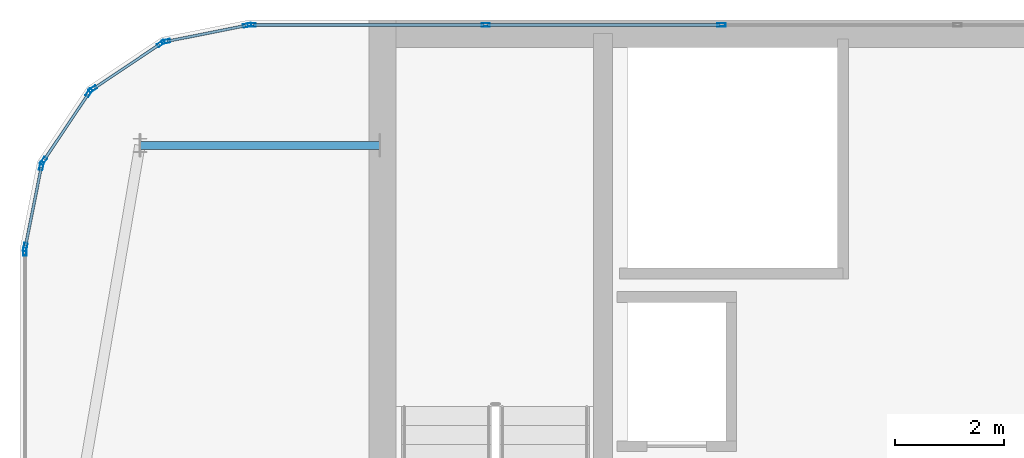
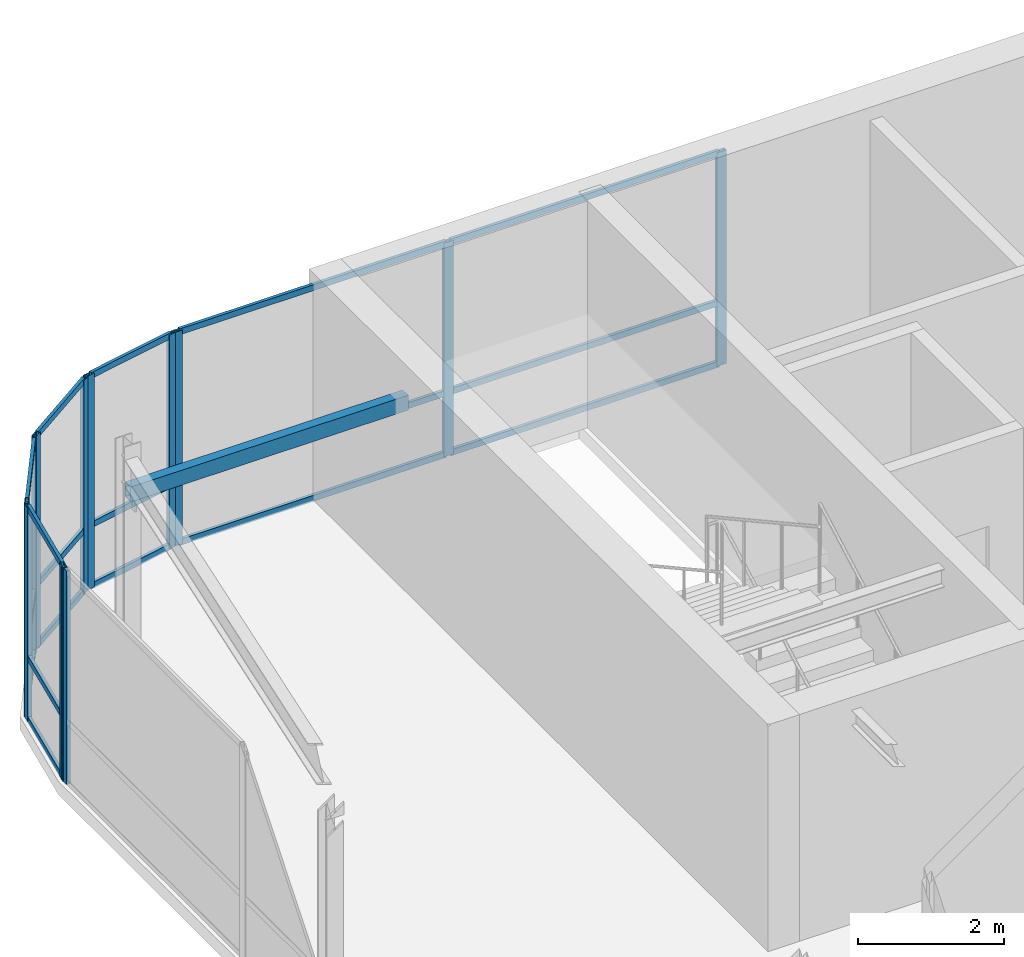
# One storey, part 26 of 36: 31 members, 6 elements without a shape of their own.
"""IFC4 building model written with IfcOpenShell, lengths in metres."""

from ifc_helpers import new_model, si_unit, direction, frame, origin, origin_2d, place, context, subcontext, project, spatial, hollow_rectangle, extrude, source, transform, mapped, material, layer, layer_set, material_profile, profile_set, type_object, type_shapes, element, aggregate, save


model = new_model("IFC4")

# Units and contexts
model_context = context("Model", 3, precision=1e-05, world=origin(), true_north=direction((0.0, 1.0)))
body_context = subcontext(model_context, "Body", "Model", "MODEL_VIEW")
ifc_project = project(units=[si_unit("LENGTHUNIT", "METRE"), si_unit("AREAUNIT", "SQUARE_METRE"), si_unit("VOLUMEUNIT", "CUBIC_METRE"), si_unit("PLANEANGLEUNIT", "RADIAN"), si_unit("MASSUNIT", "GRAM", prefix="KILO")], contexts=[model_context])

# Site, building, storey
site_placement = place(None, origin())
site = spatial("IfcSite", under=ifc_project, at=site_placement, CompositionType="ELEMENT")
building_placement = place(site_placement, origin())
building = spatial("IfcBuilding", under=site, at=building_placement, Name="Tolvann Quenvar Hotel", CompositionType="ELEMENT")
storey_placement = place(building_placement, frame((0.0, 0.0, 298.550048828125)))
storey = spatial("IfcBuildingStorey", under=building, at=storey_placement, Name="L79", CompositionType="ELEMENT", Elevation=298.550048828125)

# Member
ifc_material_1 = material(Name="Steel Grade 450 (C450L0)", Category="steel")
ifc_material_profile_1 = material_profile(ifc_material_1, hollow_rectangle(XDim=0.14990234375, YDim=0.25, WallThickness=0.009033203125, at=origin_2d()), Name="250x150x9RHS")
ifc_profile_set_1 = profile_set([ifc_material_profile_1], Name="Steel Grade 450 (C450L0)")
member_type_1 = type_object("IfcMemberType", Name="MEM_CROWN_250RHS", PredefinedType="USERDEFINED", material=ifc_profile_set_1)
shared_shape_1 = source(origin(), body_context, "Body", "SweptSolid", [
    extrude(hollow_rectangle(XDim=0.14990234375, YDim=0.25, WallThickness=0.009033203125, at=origin_2d()), origin(), (0.0, 0.0, 1.0), 4.39990234375),
])
type_shapes(member_type_1, [shared_shape_1])
member_1_placement = place(storey_placement, frame((5.800048828125, 41.89990234375, 2.929931640625), z_axis=(1.0, 0.0, 0.0), x_axis=(0.0, 1.0, 0.0)))
element("IfcMember", 1, at=member_1_placement, inside=storey, type_object=member_type_1, Name="Crown Frame Ring Member (L79-4)", ObjectType="CROWN FRAME", PredefinedType="USERDEFINED", context=body_context, shape_type="MappedRepresentation", body=[
    mapped(shared_shape_1, transform((0.0, 0.0, 0.0), x_axis=(1.0, 0.0, 0.0), y_axis=(0.0, 1.0, 0.0), z_axis=(0.0, 0.0, 1.0), scale=1.0)),
])

# Curtain wall, members
ifc_material_2 = material(Name="Thermally broken anodised architectural aluminium 6063-T6 and laminated low-E glass", Category="aluminium")
ifc_layer = layer(ifc_material_2, 0.179931640625)
ifc_layer_set = layer_set([ifc_layer], Name="Thermally broken anodised architectural aluminium 6063-T6 and laminated low-E glass")
curtain_wall_type = type_object("IfcCurtainWallType", Name="CW_SYS_LANT_06", PredefinedType="USERDEFINED", material=ifc_layer_set)
curtain_wall_1_placement = place(storey_placement, origin())
curtain_wall_1 = element("IfcCurtainWall", 2, at=curtain_wall_1_placement, inside=storey, type_object=curtain_wall_type, Name="Curtain Wall CW-LANT-06 (CWR-L79-E16)", ObjectType="UNITISED CURTAIN WALL", PredefinedType="USERDEFINED")
ifc_material_3 = material(Name="Anodised architectural aluminium 6063-T6 framing", Category="aluminium")
ifc_material_profile_2 = material_profile(ifc_material_3, hollow_rectangle(XDim=0.050048828125, YDim=0.10009765625, WallThickness=0.0029296875, at=origin_2d()), Name="100x50x3RHS")
ifc_profile_set_2 = profile_set([ifc_material_profile_2], Name="Anodised architectural aluminium 6063-T6 framing")
member_type_2 = type_object("IfcMemberType", Name="CW_TRAN_100x50", PredefinedType="USERDEFINED", material=ifc_profile_set_2)
shared_shape_2 = source(origin(), body_context, "Body", "SweptSolid", [
    extrude(hollow_rectangle(XDim=0.050048828125, YDim=0.10009765625, WallThickness=0.0029296875, at=origin_2d()), origin(), (0.0, 0.0, 1.0), 1.439208984375),
])
member_2_placement = place(storey_placement, frame((6.15966796875, 43.75, 0.02490234375), z_axis=(-0.831449510818, -0.555600315839, 0.0), x_axis=(0.555600315839, -0.831449510818, 0.0)))
member_2 = element("IfcMember", 3, at=member_2_placement, type_object=member_type_2, Name="CW-LANT-06 transom 1.1", ObjectType="TRANSOM", PredefinedType="USERDEFINED", context=body_context, shape_type="MappedRepresentation", body=[
    mapped(shared_shape_2, transform((0.0, 0.0, 0.0), x_axis=(1.0, 0.0, 0.0), y_axis=(0.0, 1.0, 0.0), z_axis=(0.0, 0.0, 1.0), scale=1.0)),
])
member_3_placement = place(storey_placement, frame((6.15966796875, 43.75, 1.050048828125), z_axis=(-0.831449510818, -0.555600315839, 0.0), x_axis=(0.555600315839, -0.831449510818, 0.0)))
member_3 = element("IfcMember", 4, at=member_3_placement, type_object=member_type_2, Name="CW-LANT-06 transom 1.2", ObjectType="TRANSOM", PredefinedType="USERDEFINED", context=body_context, shape_type="MappedRepresentation", body=[
    mapped(shared_shape_2, transform((0.0, 0.0, 0.0), x_axis=(1.0, 0.0, 0.0), y_axis=(0.0, 1.0, 0.0), z_axis=(0.0, 0.0, 1.0), scale=1.0)),
])
member_4_placement = place(storey_placement, frame((6.15966796875, 43.75, 3.554931640625), z_axis=(-0.831449510818, -0.555600315839, 0.0), x_axis=(0.555600315839, -0.831449510818, 0.0)))
member_4 = element("IfcMember", 5, at=member_4_placement, type_object=member_type_2, Name="CW-LANT-06 transom 1.3", ObjectType="TRANSOM", PredefinedType="USERDEFINED", context=body_context, shape_type="MappedRepresentation", body=[
    mapped(shared_shape_2, transform((0.0, 0.0, 0.0), x_axis=(1.0, 0.0, 0.0), y_axis=(0.0, 1.0, 0.0), z_axis=(0.0, 0.0, 1.0), scale=1.0)),
])

curtain_wall_2_placement = place(storey_placement, origin())
curtain_wall_2 = element("IfcCurtainWall", 6, at=curtain_wall_2_placement, inside=storey, type_object=curtain_wall_type, Name="Curtain Wall CW-LANT-06 (CWR-L79-E17)", ObjectType="UNITISED CURTAIN WALL", PredefinedType="USERDEFINED")
member_5_placement = place(storey_placement, frame((4.849609375, 42.836669921875, 0.02490234375), z_axis=(-0.555717578985, -0.831371139989, 0.0), x_axis=(0.831371139989, -0.555717578985, 0.0)))
member_5 = element("IfcMember", 7, at=member_5_placement, type_object=member_type_2, Name="CW-LANT-06 transom 1.1", ObjectType="TRANSOM", PredefinedType="USERDEFINED", context=body_context, shape_type="MappedRepresentation", body=[
    mapped(shared_shape_2, transform((0.0, 0.0, 0.0), x_axis=(1.0, 0.0, 0.0), y_axis=(0.0, 1.0, 0.0), z_axis=(0.0, 0.0, 1.0), scale=1.0)),
])
member_6_placement = place(storey_placement, frame((4.849609375, 42.836669921875, 1.050048828125), z_axis=(-0.555717578985, -0.831371139989, 0.0), x_axis=(0.831371139989, -0.555717578985, 0.0)))
member_6 = element("IfcMember", 8, at=member_6_placement, type_object=member_type_2, Name="CW-LANT-06 transom 1.2", ObjectType="TRANSOM", PredefinedType="USERDEFINED", context=body_context, shape_type="MappedRepresentation", body=[
    mapped(shared_shape_2, transform((0.0, 0.0, 0.0), x_axis=(1.0, 0.0, 0.0), y_axis=(0.0, 1.0, 0.0), z_axis=(0.0, 0.0, 1.0), scale=1.0)),
])
member_7_placement = place(storey_placement, frame((4.849609375, 42.836669921875, 3.554931640625), z_axis=(-0.555717578985, -0.831371139989, 0.0), x_axis=(0.831371139989, -0.555717578985, 0.0)))
member_7 = element("IfcMember", 9, at=member_7_placement, type_object=member_type_2, Name="CW-LANT-06 transom 1.3", ObjectType="TRANSOM", PredefinedType="USERDEFINED", context=body_context, shape_type="MappedRepresentation", body=[
    mapped(shared_shape_2, transform((0.0, 0.0, 0.0), x_axis=(1.0, 0.0, 0.0), y_axis=(0.0, 1.0, 0.0), z_axis=(0.0, 0.0, 1.0), scale=1.0)),
])

curtain_wall_3_placement = place(storey_placement, origin())
curtain_wall_3 = element("IfcCurtainWall", 10, at=curtain_wall_3_placement, inside=storey, type_object=curtain_wall_type, Name="Curtain Wall CW-LANT-06 (CWR-L79-E15)", ObjectType="UNITISED CURTAIN WALL", PredefinedType="USERDEFINED")
shared_shape_3 = source(origin(), body_context, "Body", "SweptSolid", [
    extrude(hollow_rectangle(XDim=0.050048828125, YDim=0.10009765625, WallThickness=0.0029296875, at=origin_2d()), origin(), (0.0, 0.0, 1.0), 1.456787109375),
])
member_8_placement = place(storey_placement, frame((7.73681640625, 44.095703125, 0.02490234375), z_axis=(-0.980786408364, -0.195084651288, 0.0), x_axis=(0.195084651288, -0.980786408364, 0.0)))
member_8 = element("IfcMember", 11, at=member_8_placement, type_object=member_type_2, Name="CW-LANT-06 transom 1.1", ObjectType="TRANSOM", PredefinedType="USERDEFINED", context=body_context, shape_type="MappedRepresentation", body=[
    mapped(shared_shape_3, transform((0.0, 0.0, 0.0), x_axis=(1.0, 0.0, 0.0), y_axis=(0.0, 1.0, 0.0), z_axis=(0.0, 0.0, 1.0), scale=1.0)),
])
member_9_placement = place(storey_placement, frame((7.73681640625, 44.095703125, 1.050048828125), z_axis=(-0.980786408364, -0.195084651288, 0.0), x_axis=(0.195084651288, -0.980786408364, 0.0)))
member_9 = element("IfcMember", 12, at=member_9_placement, type_object=member_type_2, Name="CW-LANT-06 transom 1.2", ObjectType="TRANSOM", PredefinedType="USERDEFINED", context=body_context, shape_type="MappedRepresentation", body=[
    mapped(shared_shape_3, transform((0.0, 0.0, 0.0), x_axis=(1.0, 0.0, 0.0), y_axis=(0.0, 1.0, 0.0), z_axis=(0.0, 0.0, 1.0), scale=1.0)),
])
member_10_placement = place(storey_placement, frame((7.73681640625, 44.095703125, 3.554931640625), z_axis=(-0.980786408364, -0.195084651288, 0.0), x_axis=(0.195084651288, -0.980786408364, 0.0)))
member_10 = element("IfcMember", 13, at=member_10_placement, type_object=member_type_2, Name="CW-LANT-06 transom 1.3", ObjectType="TRANSOM", PredefinedType="USERDEFINED", context=body_context, shape_type="MappedRepresentation", body=[
    mapped(shared_shape_3, transform((0.0, 0.0, 0.0), x_axis=(1.0, 0.0, 0.0), y_axis=(0.0, 1.0, 0.0), z_axis=(0.0, 0.0, 1.0), scale=1.0)),
])

curtain_wall_4_placement = place(storey_placement, origin())
curtain_wall_4 = element("IfcCurtainWall", 14, at=curtain_wall_4_placement, inside=storey, type_object=curtain_wall_type, Name="Curtain Wall CW-LANT-06 (CWR-L79-E18)", ObjectType="UNITISED CURTAIN WALL", PredefinedType="USERDEFINED")
member_11_placement = place(storey_placement, frame((3.988525390625, 41.491943359375, 0.02490234375), z_axis=(-0.195084651288, -0.980786408364, 0.0), x_axis=(0.980786408364, -0.195084651288, 0.0)))
member_11 = element("IfcMember", 15, at=member_11_placement, type_object=member_type_2, Name="CW-LANT-06 transom 1.1", ObjectType="TRANSOM", PredefinedType="USERDEFINED", context=body_context, shape_type="MappedRepresentation", body=[
    mapped(shared_shape_3, transform((0.0, 0.0, 0.0), x_axis=(1.0, 0.0, 0.0), y_axis=(0.0, 1.0, 0.0), z_axis=(0.0, 0.0, 1.0), scale=1.0)),
])
member_12_placement = place(storey_placement, frame((3.988525390625, 41.491943359375, 1.050048828125), z_axis=(-0.195084651288, -0.980786408364, 0.0), x_axis=(0.980786408364, -0.195084651288, 0.0)))
member_12 = element("IfcMember", 16, at=member_12_placement, type_object=member_type_2, Name="CW-LANT-06 transom 1.2", ObjectType="TRANSOM", PredefinedType="USERDEFINED", context=body_context, shape_type="MappedRepresentation", body=[
    mapped(shared_shape_3, transform((0.0, 0.0, 0.0), x_axis=(1.0, 0.0, 0.0), y_axis=(0.0, 1.0, 0.0), z_axis=(0.0, 0.0, 1.0), scale=1.0)),
])
member_13_placement = place(storey_placement, frame((3.988525390625, 41.491943359375, 3.554931640625), z_axis=(-0.195084651288, -0.980786408364, 0.0), x_axis=(0.980786408364, -0.195084651288, 0.0)))
member_13 = element("IfcMember", 17, at=member_13_placement, type_object=member_type_2, Name="CW-LANT-06 transom 1.3", ObjectType="TRANSOM", PredefinedType="USERDEFINED", context=body_context, shape_type="MappedRepresentation", body=[
    mapped(shared_shape_3, transform((0.0, 0.0, 0.0), x_axis=(1.0, 0.0, 0.0), y_axis=(0.0, 1.0, 0.0), z_axis=(0.0, 0.0, 1.0), scale=1.0)),
])

curtain_wall_5_placement = place(storey_placement, origin())
curtain_wall_5 = element("IfcCurtainWall", 18, at=curtain_wall_5_placement, inside=storey, type_object=curtain_wall_type, Name="Curtain Wall CW-LANT-06 (CWR-L79-E14)", ObjectType="UNITISED CURTAIN WALL", PredefinedType="USERDEFINED")
shared_shape_4 = source(origin(), body_context, "Body", "SweptSolid", [
    extrude(hollow_rectangle(XDim=0.050048828125, YDim=0.10009765625, WallThickness=0.0029296875, at=origin_2d()), origin(), (0.0, 0.0, 1.0), 4.230224609375),
])
member_14_placement = place(storey_placement, frame((12.1123046875, 44.110107421875, 0.02490234375), z_axis=(-1.0, 0.0, 0.0), x_axis=(0.0, -1.0, 0.0)))
member_14 = element("IfcMember", 19, at=member_14_placement, type_object=member_type_2, Name="CW-LANT-06 transom 6.1", ObjectType="TRANSOM", PredefinedType="USERDEFINED", context=body_context, shape_type="MappedRepresentation", body=[
    mapped(shared_shape_4, transform((0.0, 0.0, 0.0), x_axis=(1.0, 0.0, 0.0), y_axis=(0.0, 1.0, 0.0), z_axis=(0.0, 0.0, 1.0), scale=1.0)),
])
member_15_placement = place(storey_placement, frame((12.1123046875, 44.110107421875, 1.050048828125), z_axis=(-1.0, 0.0, 0.0), x_axis=(0.0, -1.0, 0.0)))
member_15 = element("IfcMember", 20, at=member_15_placement, type_object=member_type_2, Name="CW-LANT-06 transom 6.2", ObjectType="TRANSOM", PredefinedType="USERDEFINED", context=body_context, shape_type="MappedRepresentation", body=[
    mapped(shared_shape_4, transform((0.0, 0.0, 0.0), x_axis=(1.0, 0.0, 0.0), y_axis=(0.0, 1.0, 0.0), z_axis=(0.0, 0.0, 1.0), scale=1.0)),
])
member_16_placement = place(storey_placement, frame((12.1123046875, 44.110107421875, 3.554931640625), z_axis=(-1.0, 0.0, 0.0), x_axis=(0.0, -1.0, 0.0)))
member_16 = element("IfcMember", 21, at=member_16_placement, type_object=member_type_2, Name="CW-LANT-06 transom 6.3", ObjectType="TRANSOM", PredefinedType="USERDEFINED", context=body_context, shape_type="MappedRepresentation", body=[
    mapped(shared_shape_4, transform((0.0, 0.0, 0.0), x_axis=(1.0, 0.0, 0.0), y_axis=(0.0, 1.0, 0.0), z_axis=(0.0, 0.0, 1.0), scale=1.0)),
])
shared_shape_5 = source(origin(), body_context, "Body", "SweptSolid", [
    extrude(hollow_rectangle(XDim=0.050048828125, YDim=0.10009765625, WallThickness=0.0029296875, at=origin_2d()), origin(), (0.0, 0.0, 1.0), 4.2626953125),
])
type_shapes(member_type_2, [shared_shape_2, shared_shape_3, shared_shape_4, shared_shape_5])
member_17_placement = place(storey_placement, frame((16.43994140625, 44.110107421875, 0.02490234375), z_axis=(-1.0, 0.0, 0.0), x_axis=(0.0, -1.0, 0.0)))
member_17 = element("IfcMember", 22, at=member_17_placement, type_object=member_type_2, Name="CW-LANT-06 transom 5.1", ObjectType="TRANSOM", PredefinedType="USERDEFINED", context=body_context, shape_type="MappedRepresentation", body=[
    mapped(shared_shape_5, transform((0.0, 0.0, 0.0), x_axis=(1.0, 0.0, 0.0), y_axis=(0.0, 1.0, 0.0), z_axis=(0.0, 0.0, 1.0), scale=1.0)),
])
member_18_placement = place(storey_placement, frame((16.43994140625, 44.110107421875, 1.050048828125), z_axis=(-1.0, 0.0, 0.0), x_axis=(0.0, -1.0, 0.0)))
member_18 = element("IfcMember", 23, at=member_18_placement, type_object=member_type_2, Name="CW-LANT-06 transom 5.2", ObjectType="TRANSOM", PredefinedType="USERDEFINED", context=body_context, shape_type="MappedRepresentation", body=[
    mapped(shared_shape_5, transform((0.0, 0.0, 0.0), x_axis=(1.0, 0.0, 0.0), y_axis=(0.0, 1.0, 0.0), z_axis=(0.0, 0.0, 1.0), scale=1.0)),
])
member_19_placement = place(storey_placement, frame((16.43994140625, 44.110107421875, 3.554931640625), z_axis=(-1.0, 0.0, 0.0), x_axis=(0.0, -1.0, 0.0)))
member_19 = element("IfcMember", 24, at=member_19_placement, type_object=member_type_2, Name="CW-LANT-06 transom 5.3", ObjectType="TRANSOM", PredefinedType="USERDEFINED", context=body_context, shape_type="MappedRepresentation", body=[
    mapped(shared_shape_5, transform((0.0, 0.0, 0.0), x_axis=(1.0, 0.0, 0.0), y_axis=(0.0, 1.0, 0.0), z_axis=(0.0, 0.0, 1.0), scale=1.0)),
])
ifc_material_profile_3 = material_profile(ifc_material_3, hollow_rectangle(XDim=0.06494140625, YDim=0.14990234375, WallThickness=0.00390625, at=origin_2d()), Name="150x65x4RHS")
ifc_profile_set_3 = profile_set([ifc_material_profile_3], Name="Anodised architectural aluminium 6063-T6 framing")
member_type_3 = type_object("IfcMemberType", Name="CW_MULL_150x65", PredefinedType="MULLION", material=ifc_profile_set_3)
shared_shape_6 = source(origin(), body_context, "Body", "SweptSolid", [
    extrude(hollow_rectangle(XDim=0.06494140625, YDim=0.14990234375, WallThickness=0.00390625, at=origin_2d()), origin(), (0.0, 0.0, 1.0), 3.579833984375),
])
type_shapes(member_type_3, [shared_shape_6])
member_20_placement = place(storey_placement, frame((16.472412109375, 44.110107421875, 0.0), z_axis=(0.0, 0.0, 1.0), x_axis=(0.0, -1.0, 0.0)))
member_20 = element("IfcMember", 25, at=member_20_placement, type_object=member_type_3, Name="CW-LANT-06 mullion 5", PredefinedType="MULLION", context=body_context, shape_type="MappedRepresentation", body=[
    mapped(shared_shape_6, transform((0.0, 0.0, 0.0), x_axis=(1.0, 0.0, 0.0), y_axis=(0.0, 1.0, 0.0), z_axis=(0.0, 0.0, 1.0), scale=1.0)),
])
member_21_placement = place(storey_placement, frame((12.144775390625, 44.110107421875, 0.0), z_axis=(0.0, 0.0, 1.0), x_axis=(0.0, -1.0, 0.0)))
member_21 = element("IfcMember", 26, at=member_21_placement, type_object=member_type_3, Name="CW-LANT-06 mullion 6", PredefinedType="MULLION", context=body_context, shape_type="MappedRepresentation", body=[
    mapped(shared_shape_6, transform((0.0, 0.0, 0.0), x_axis=(1.0, 0.0, 0.0), y_axis=(0.0, 1.0, 0.0), z_axis=(0.0, 0.0, 1.0), scale=1.0)),
])
member_22_placement = place(storey_placement, frame((7.849609375, 44.110107421875, 0.0), z_axis=(0.0, 0.0, 1.0), x_axis=(0.0, -1.0, 0.0)))
member_22 = element("IfcMember", 27, at=member_22_placement, type_object=member_type_3, Name="CW-LANT-06 mullion 7", PredefinedType="MULLION", context=body_context, shape_type="MappedRepresentation", body=[
    mapped(shared_shape_6, transform((0.0, 0.0, 0.0), x_axis=(1.0, 0.0, 0.0), y_axis=(0.0, 1.0, 0.0), z_axis=(0.0, 0.0, 1.0), scale=1.0)),
])
aggregate(curtain_wall_5, [member_20, member_21, member_22, member_17, member_18, member_19, member_14, member_15, member_16])

# Member
member_23_placement = place(storey_placement, frame((7.768798828125, 44.10205078125, 0.0), z_axis=(0.0, 0.0, 1.0), x_axis=(0.195061569369, -0.980790999222, 0.0)))
member_23 = element("IfcMember", 28, at=member_23_placement, type_object=member_type_3, Name="CW-LANT-06 mullion 1", PredefinedType="MULLION", context=body_context, shape_type="MappedRepresentation", body=[
    mapped(shared_shape_6, transform((0.0, 0.0, 0.0), x_axis=(1.0, 0.0, 0.0), y_axis=(0.0, 1.0, 0.0), z_axis=(0.0, 0.0, 1.0), scale=1.0)),
])

member_24_placement = place(storey_placement, frame((6.2763671875, 43.80517578125, 0.0), z_axis=(0.0, 0.0, 1.0), x_axis=(0.195061569369, -0.980790999222, 0.0)))
member_24 = element("IfcMember", 29, at=member_24_placement, type_object=member_type_3, Name="CW-LANT-06 mullion 2", PredefinedType="MULLION", context=body_context, shape_type="MappedRepresentation", body=[
    mapped(shared_shape_6, transform((0.0, 0.0, 0.0), x_axis=(1.0, 0.0, 0.0), y_axis=(0.0, 1.0, 0.0), z_axis=(0.0, 0.0, 1.0), scale=1.0)),
])

aggregate(curtain_wall_3, [member_23, member_24, member_8, member_9, member_10])

member_25_placement = place(storey_placement, frame((6.186767578125, 43.76806640625, 0.0), z_axis=(0.0, 0.0, 1.0), x_axis=(0.555655769644, -0.831412452193, 0.0)))
member_25 = element("IfcMember", 30, at=member_25_placement, type_object=member_type_3, Name="CW-LANT-06 mullion 1", PredefinedType="MULLION", context=body_context, shape_type="MappedRepresentation", body=[
    mapped(shared_shape_6, transform((0.0, 0.0, 0.0), x_axis=(1.0, 0.0, 0.0), y_axis=(0.0, 1.0, 0.0), z_axis=(0.0, 0.0, 1.0), scale=1.0)),
])

member_26_placement = place(storey_placement, frame((4.936279296875, 42.932373046875, 0.0), z_axis=(0.0, 0.0, 1.0), x_axis=(0.555655769644, -0.831412452193, 0.0)))
member_26 = element("IfcMember", 31, at=member_26_placement, type_object=member_type_3, Name="CW-LANT-06 mullion 2", PredefinedType="MULLION", context=body_context, shape_type="MappedRepresentation", body=[
    mapped(shared_shape_6, transform((0.0, 0.0, 0.0), x_axis=(1.0, 0.0, 0.0), y_axis=(0.0, 1.0, 0.0), z_axis=(0.0, 0.0, 1.0), scale=1.0)),
])

aggregate(curtain_wall_1, [member_25, member_26, member_2, member_3, member_4])

member_27_placement = place(storey_placement, frame((4.86767578125, 42.86376953125, 0.0), z_axis=(0.0, 0.0, 1.0), x_axis=(0.831412452193, -0.555655769644, 0.0)))
member_27 = element("IfcMember", 32, at=member_27_placement, type_object=member_type_3, Name="CW-LANT-06 mullion 1", PredefinedType="MULLION", context=body_context, shape_type="MappedRepresentation", body=[
    mapped(shared_shape_6, transform((0.0, 0.0, 0.0), x_axis=(1.0, 0.0, 0.0), y_axis=(0.0, 1.0, 0.0), z_axis=(0.0, 0.0, 1.0), scale=1.0)),
])

member_28_placement = place(storey_placement, frame((4.03173828125, 41.61328125, 0.0), z_axis=(0.0, 0.0, 1.0), x_axis=(0.831412452193, -0.555655769644, 0.0)))
member_28 = element("IfcMember", 33, at=member_28_placement, type_object=member_type_3, Name="CW-LANT-06 mullion 2", PredefinedType="MULLION", context=body_context, shape_type="MappedRepresentation", body=[
    mapped(shared_shape_6, transform((0.0, 0.0, 0.0), x_axis=(1.0, 0.0, 0.0), y_axis=(0.0, 1.0, 0.0), z_axis=(0.0, 0.0, 1.0), scale=1.0)),
])

aggregate(curtain_wall_2, [member_27, member_28, member_5, member_6, member_7])

member_29_placement = place(storey_placement, frame((3.994873046875, 41.523681640625, 0.0), z_axis=(0.0, 0.0, 1.0), x_axis=(0.980790999222, -0.195061569369, 0.0)))
member_29 = element("IfcMember", 34, at=member_29_placement, type_object=member_type_3, Name="CW-LANT-06 mullion 1", PredefinedType="MULLION", context=body_context, shape_type="MappedRepresentation", body=[
    mapped(shared_shape_6, transform((0.0, 0.0, 0.0), x_axis=(1.0, 0.0, 0.0), y_axis=(0.0, 1.0, 0.0), z_axis=(0.0, 0.0, 1.0), scale=1.0)),
])

member_30_placement = place(storey_placement, frame((3.697998046875, 40.03125, 0.0), z_axis=(0.0, 0.0, 1.0), x_axis=(0.980790999222, -0.195061569369, 0.0)))
member_30 = element("IfcMember", 35, at=member_30_placement, type_object=member_type_3, Name="CW-LANT-06 mullion 2", PredefinedType="MULLION", context=body_context, shape_type="MappedRepresentation", body=[
    mapped(shared_shape_6, transform((0.0, 0.0, 0.0), x_axis=(1.0, 0.0, 0.0), y_axis=(0.0, 1.0, 0.0), z_axis=(0.0, 0.0, 1.0), scale=1.0)),
])

aggregate(curtain_wall_4, [member_29, member_30, member_11, member_12, member_13])

# Curtain wall, member
curtain_wall_6_placement = place(storey_placement, origin())
curtain_wall_6 = element("IfcCurtainWall", 36, at=curtain_wall_6_placement, inside=storey, type_object=curtain_wall_type, Name="Curtain Wall CW-LANT-06 (CWR-L79-E19)", ObjectType="UNITISED CURTAIN WALL", PredefinedType="USERDEFINED")
member_31_placement = place(storey_placement, frame((3.68994140625, 39.9501953125, 0.0), z_axis=(0.0, 0.0, 1.0), x_axis=(1.0, 0.0, 0.0)))
member_31 = element("IfcMember", 37, at=member_31_placement, type_object=member_type_3, Name="CW-LANT-06 mullion 1", PredefinedType="MULLION", context=body_context, shape_type="MappedRepresentation", body=[
    mapped(shared_shape_6, transform((0.0, 0.0, 0.0), x_axis=(1.0, 0.0, 0.0), y_axis=(0.0, 1.0, 0.0), z_axis=(0.0, 0.0, 1.0), scale=1.0)),
])
aggregate(curtain_wall_6, [member_31])

save(model, "model.ifc")
